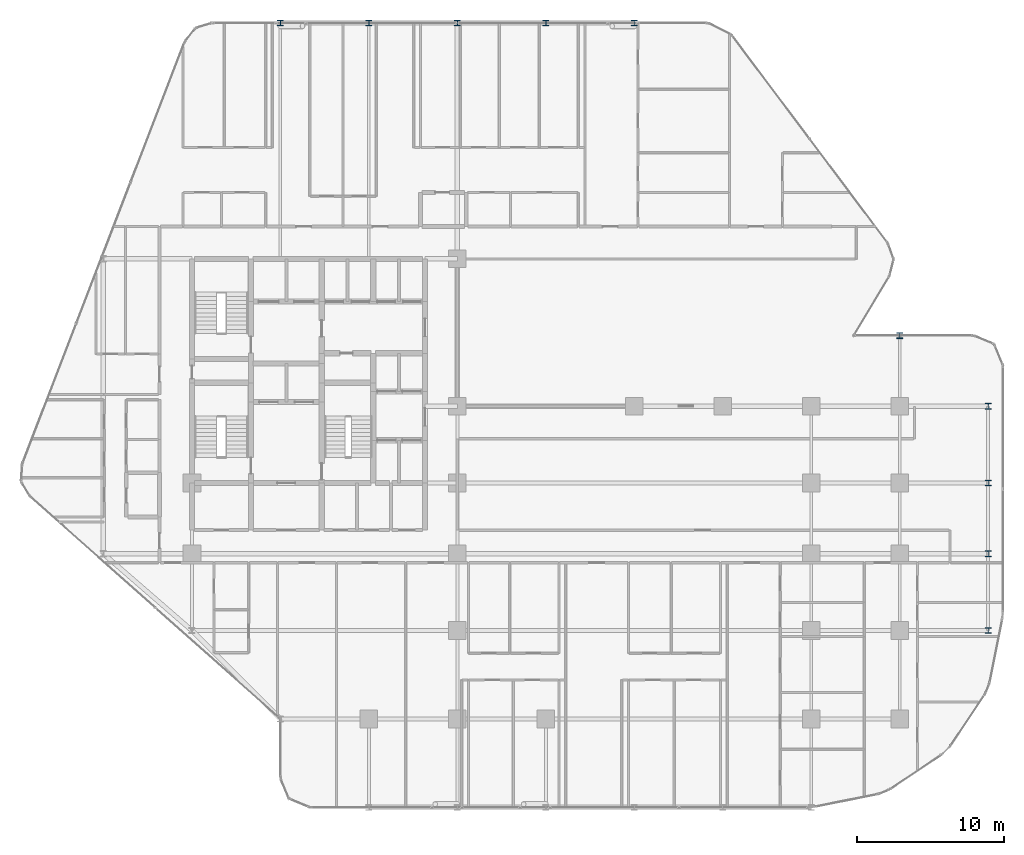
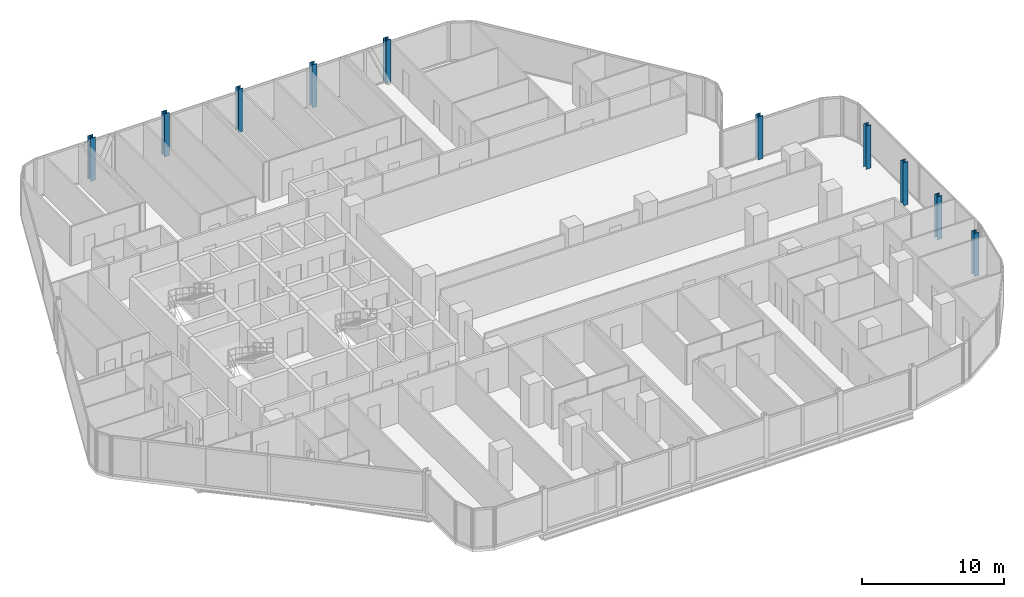
# One storey, part 2 of 33: 10 columns.
"""IFC4 building model written with IfcOpenShell, lengths in metres."""

from ifc_helpers import new_model, si_unit, direction, frame, origin, origin_2d, place, context, subcontext, project, spatial, i_section, extrude, material, material_profile, profile_set, type_object, element, save


model = new_model("IFC4")

# Units and contexts
model_context = context("Model", 3, precision=1e-05, world=origin(), true_north=direction((0.0, 1.0)))
body_context = subcontext(model_context, "Body", "Model", "MODEL_VIEW")
ifc_project = project(units=[si_unit("LENGTHUNIT", "METRE"), si_unit("AREAUNIT", "SQUARE_METRE"), si_unit("VOLUMEUNIT", "CUBIC_METRE"), si_unit("PLANEANGLEUNIT", "RADIAN"), si_unit("MASSUNIT", "GRAM", prefix="KILO")], contexts=[model_context])

# Site, building, storey
site_placement = place(None, origin())
site = spatial("IfcSite", under=ifc_project, at=site_placement, CompositionType="ELEMENT")
building_placement = place(site_placement, origin())
building = spatial("IfcBuilding", under=site, at=building_placement, Name="Keshet Zoharim Tower", CompositionType="ELEMENT")
storey_placement = place(building_placement, frame((0.0, 0.0, 73.800048828125)))
storey = spatial("IfcBuildingStorey", under=building, at=storey_placement, Name="L17", CompositionType="ELEMENT", Elevation=73.800048828125)

# Columns
ifc_material = material(Name="Steel S355", Category="steel")
ifc_material_profile = material_profile(ifc_material, i_section(OverallWidth=0.40087890625, OverallDepth=0.39892578125, WebThickness=0.02490234375, FlangeThickness=0.03955078125, FilletRadius=0.014892578125, at=origin_2d()), Name="HD400x314")
ifc_profile_set = profile_set([ifc_material_profile], Name="Steel S355")
column_type = type_object("IfcColumnType", Name="COL-HD314", PredefinedType="COLUMN", material=ifc_profile_set)
for number, where, z_axis, x_axis, name in (
    (1, (21.0, 53.89990234375, 0.0), (0.0, 0.0, 1.0), (1.0, 0.0, 0.0), "L17 Column 4L"),
    (2, (27.0, 53.89990234375, 0.0), (0.0, 0.0, 1.0), (1.0, 0.0, 0.0), "L17 Column 5L"),
    (3, (33.0, 53.89990234375, 0.0), (0.0, 0.0, 1.0), (1.0, 0.0, 0.0), "L17 Column 6L"),
    (4, (39.0, 53.89990234375, 0.0), (0.0, 0.0, 1.0), (1.0, 0.0, 0.0), "L17 Column 7L"),
    (5, (45.0, 53.89990234375, 0.0), (0.0, 0.0, 1.0), (1.0, 0.0, 0.0), "L17 Column 8L"),
    (6, (63.0, 32.699951171875, 0.0), (0.0, 0.0, 1.0), (1.0, 0.0, 0.0), "L17 Column 11G"),
    (7, (69.0, 12.699951171875, 0.0), (0.0, 0.0, 1.0), (1.0, 0.0, 0.0), "L17 Column 12C"),
    (8, (69.0, 17.89990234375, 0.0), (0.0, 0.0, 1.0), (1.0, 0.0, 0.0), "L17 Column 12D"),
    (9, (69.0, 22.699951171875, 0.0), (0.0, 0.0, 1.0), (1.0, 0.0, 0.0), "L17 Column 12E"),
    (10, (69.0, 27.89990234375, 0.0), (0.0, 0.0, 1.0), (1.0, 0.0, 0.0), "L17 Column 12F"),
):
    element("IfcColumn", number, at=place(storey_placement, frame(where, z_axis=z_axis, x_axis=x_axis)), inside=storey, type_object=column_type, Name=name, PredefinedType="COLUMN", context=body_context, shape_type="SweptSolid", body=[
        extrude(i_section(OverallWidth=0.40087890625, OverallDepth=0.39892578125, WebThickness=0.02490234375, FlangeThickness=0.03955078125, FilletRadius=0.014892578125, at=origin_2d()), origin(), (0.0, 0.0, 1.0), 3.699951171875),
    ])

save(model, "model.ifc")
